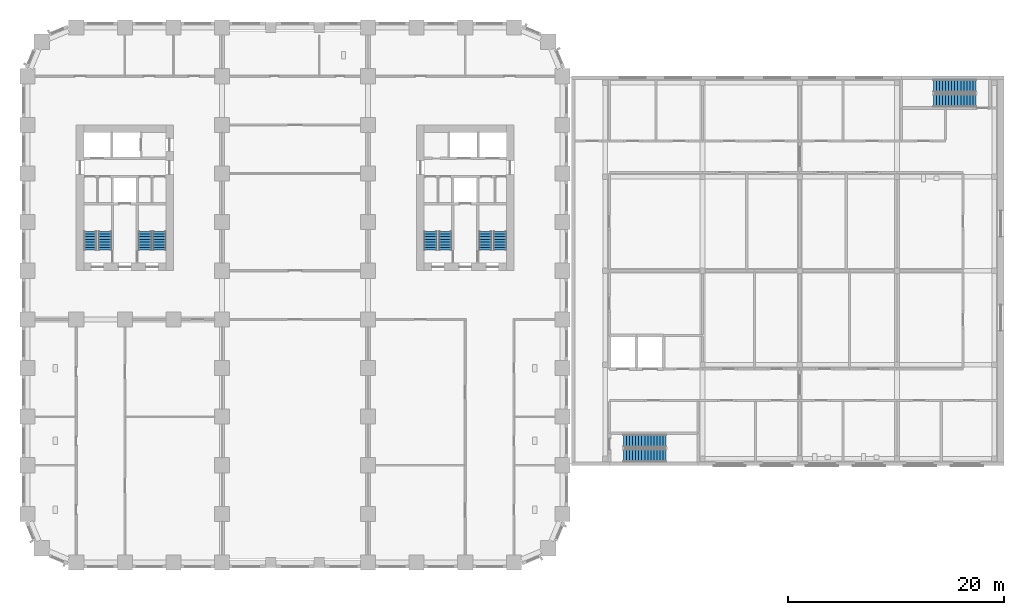
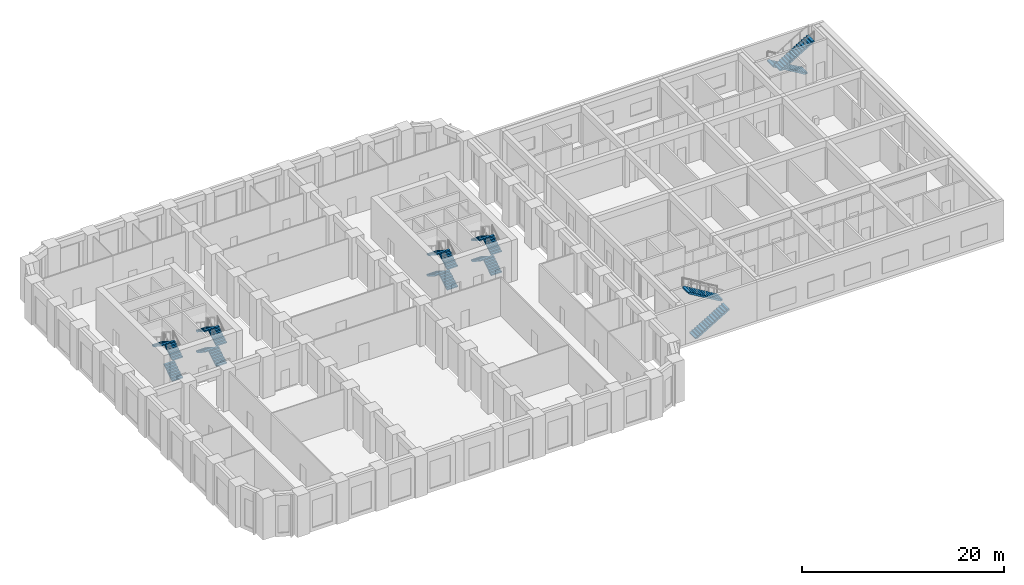
# One storey, part 12 of 19: 19 stair flights, 6 elements without a shape of their own.
"""IFC4 building model written with IfcOpenShell, lengths in metres."""

from ifc_helpers import new_model, si_unit, direction, frame, origin, place, context, subcontext, project, spatial, polyline, outline, extrude, material, type_object, element, aggregate, save


model = new_model("IFC4")

# Units and contexts
model_context = context("Model", 3, precision=1e-05, world=origin(), true_north=direction((0.0, 1.0)))
body_context = subcontext(model_context, "Body", "Model", "MODEL_VIEW")
ifc_project = project(units=[si_unit("LENGTHUNIT", "METRE"), si_unit("AREAUNIT", "SQUARE_METRE"), si_unit("VOLUMEUNIT", "CUBIC_METRE"), si_unit("PLANEANGLEUNIT", "RADIAN"), si_unit("MASSUNIT", "GRAM", prefix="KILO")], contexts=[model_context])

# Site, building, storey
site_placement = place(None, origin())
site = spatial("IfcSite", under=ifc_project, at=site_placement, CompositionType="ELEMENT")
building_placement = place(site_placement, origin())
building = spatial("IfcBuilding", under=site, at=building_placement, Name="Girih Gate Residences", CompositionType="ELEMENT")
storey_placement = place(building_placement, frame((0.0, 0.0, 21.0)))
storey = spatial("IfcBuildingStorey", under=building, at=storey_placement, Name="L04", CompositionType="ELEMENT", Elevation=21.0)

# Stair, stair flights
ifc_material = material(Name="Concrete C40/50", Category="concrete")
stair_type_1 = type_object("IfcStairType", Name="HC Stair", PredefinedType="HALF_TURN_STAIR", material=ifc_material)
stair_1_placement = place(storey_placement, origin())
stair_1 = element("IfcStair", 1, at=stair_1_placement, inside=storey, type_object=stair_type_1, Name="L04 stair A", PredefinedType="HALF_TURN_STAIR")
stair_flight_type_1 = type_object("IfcStairFlightType", Name="HC Stair flight", PredefinedType="STRAIGHT", material=ifc_material)
stair_flight_1_placement = place(storey_placement, frame((55.14990234375, 9.89990234375, 0.0), z_axis=(0.0, 0.0, 1.0), x_axis=(1.0, 0.0, 0.0)))
stair_flight_1 = element("IfcStairFlight", 2, at=stair_flight_1_placement, type_object=stair_flight_type_1, Name="HC-STA flight 1", NumberOfRisers=15, NumberOfTreads=14, PredefinedType="STRAIGHT", RiserHeight=0.166666667, TreadLength=0.28, context=body_context, shape_type="SweptSolid", body=[
    extrude(outline(polyline([(0.0, 0.0), (0.0, 0.166748046875), (0.280029296875, 0.166748046875), (0.280029296875, 0.333251953125), (0.56005859375, 0.333251953125), (0.56005859375, 0.5), (0.840087890625, 0.5), (0.840087890625, 0.666748046875), (1.1201171875, 0.666748046875), (1.1201171875, 0.833251953125), (1.39990234375, 0.833251953125), (1.39990234375, 1.0), (1.679931640625, 1.0), (1.679931640625, 1.166748046875), (1.9599609375, 1.166748046875), (1.9599609375, 1.333251953125), (2.239990234375, 1.333251953125), (2.239990234375, 1.5), (2.52001953125, 1.5), (2.52001953125, 1.666748046875), (2.800048828125, 1.666748046875), (2.800048828125, 1.833251953125), (3.080078125, 1.833251953125), (3.080078125, 2.0), (3.360107421875, 2.0), (3.360107421875, 2.166748046875), (3.639892578125, 2.166748046875), (3.639892578125, 2.333251953125), (3.919921875, 2.333251953125), (3.919921875, 2.5), (3.919921875, 2.158935546875), (0.29296875, 0.0), (0.0, 0.0)])), frame((0.0, 0.60009765625, 0.0), z_axis=(0.0, -1.0, 0.0), x_axis=(1.0, 0.0, 0.0)), (0.0, 0.0, 1.0), 1.199951171875),
])
stair_flight_2_placement = place(storey_placement, frame((59.070068359375, 11.25, 2.5), z_axis=(0.0, 0.0, 1.0), x_axis=(-1.0, 0.0, 0.0)))
stair_flight_2 = element("IfcStairFlight", 3, at=stair_flight_2_placement, type_object=stair_flight_type_1, Name="HC-STA flight 2", NumberOfRisers=15, NumberOfTreads=14, PredefinedType="STRAIGHT", RiserHeight=0.166666667, TreadLength=0.28, context=body_context, shape_type="SweptSolid", body=[
    extrude(outline(polyline([(0.0, 0.0), (0.0, 0.166748046875), (0.280029296875, 0.166748046875), (0.280029296875, 0.333251953125), (0.56005859375, 0.333251953125), (0.56005859375, 0.5), (0.840087890625, 0.5), (0.840087890625, 0.666748046875), (1.1201171875, 0.666748046875), (1.1201171875, 0.833251953125), (1.39990234375, 0.833251953125), (1.39990234375, 1.0), (1.679931640625, 1.0), (1.679931640625, 1.166748046875), (1.9599609375, 1.166748046875), (1.9599609375, 1.333251953125), (2.239990234375, 1.333251953125), (2.239990234375, 1.5), (2.52001953125, 1.5), (2.52001953125, 1.666748046875), (2.800048828125, 1.666748046875), (2.800048828125, 1.833251953125), (3.080078125, 1.833251953125), (3.080078125, 2.0), (3.360107421875, 2.0), (3.360107421875, 2.166748046875), (3.639892578125, 2.166748046875), (3.639892578125, 2.333251953125), (3.919921875, 2.333251953125), (3.919921875, 2.5), (3.919921875, 2.158935546875), (0.29296875, 0.0), (0.0, 0.0)])), frame((0.0, 0.60009765625, 0.0), z_axis=(0.0, -1.0, 0.0), x_axis=(1.0, 0.0, 0.0)), (0.0, 0.0, 1.0), 1.199951171875),
])
aggregate(stair_1, [stair_flight_1, stair_flight_2])

stair_2_placement = place(storey_placement, origin())
stair_2 = element("IfcStair", 4, at=stair_2_placement, inside=storey, type_object=stair_type_1, Name="L04 stair B", PredefinedType="HALF_TURN_STAIR")
stair_flight_3_placement = place(storey_placement, frame((87.75, 44.10009765625, 0.0), z_axis=(0.0, 0.0, 1.0), x_axis=(-1.0, 0.0, 0.0)))
stair_flight_3 = element("IfcStairFlight", 5, at=stair_flight_3_placement, type_object=stair_flight_type_1, Name="HC-STB flight 1", NumberOfRisers=15, NumberOfTreads=14, PredefinedType="STRAIGHT", RiserHeight=0.166666667, TreadLength=0.28, context=body_context, shape_type="SweptSolid", body=[
    extrude(outline(polyline([(0.0, 0.0), (0.0, 0.166748046875), (0.280029296875, 0.166748046875), (0.280029296875, 0.333251953125), (0.56005859375, 0.333251953125), (0.56005859375, 0.5), (0.840087890625, 0.5), (0.840087890625, 0.666748046875), (1.1201171875, 0.666748046875), (1.1201171875, 0.833251953125), (1.39990234375, 0.833251953125), (1.39990234375, 1.0), (1.679931640625, 1.0), (1.679931640625, 1.166748046875), (1.9599609375, 1.166748046875), (1.9599609375, 1.333251953125), (2.239990234375, 1.333251953125), (2.239990234375, 1.5), (2.52001953125, 1.5), (2.52001953125, 1.666748046875), (2.800048828125, 1.666748046875), (2.800048828125, 1.833251953125), (3.080078125, 1.833251953125), (3.080078125, 2.0), (3.360107421875, 2.0), (3.360107421875, 2.166748046875), (3.639892578125, 2.166748046875), (3.639892578125, 2.333251953125), (3.919921875, 2.333251953125), (3.919921875, 2.5), (3.919921875, 2.158935546875), (0.29296875, 0.0), (0.0, 0.0)])), frame((0.0, 0.60009765625, 0.0), z_axis=(0.0, -1.0, 0.0), x_axis=(1.0, 0.0, 0.0)), (0.0, 0.0, 1.0), 1.199951171875),
])
stair_flight_4_placement = place(storey_placement, frame((83.830078125, 42.75, 2.5), z_axis=(0.0, 0.0, 1.0), x_axis=(1.0, 0.0, 0.0)))
stair_flight_4 = element("IfcStairFlight", 6, at=stair_flight_4_placement, type_object=stair_flight_type_1, Name="HC-STB flight 2", NumberOfRisers=15, NumberOfTreads=14, PredefinedType="STRAIGHT", RiserHeight=0.166666667, TreadLength=0.28, context=body_context, shape_type="SweptSolid", body=[
    extrude(outline(polyline([(0.0, 0.0), (0.0, 0.166748046875), (0.280029296875, 0.166748046875), (0.280029296875, 0.333251953125), (0.56005859375, 0.333251953125), (0.56005859375, 0.5), (0.840087890625, 0.5), (0.840087890625, 0.666748046875), (1.1201171875, 0.666748046875), (1.1201171875, 0.833251953125), (1.39990234375, 0.833251953125), (1.39990234375, 1.0), (1.679931640625, 1.0), (1.679931640625, 1.166748046875), (1.9599609375, 1.166748046875), (1.9599609375, 1.333251953125), (2.239990234375, 1.333251953125), (2.239990234375, 1.5), (2.52001953125, 1.5), (2.52001953125, 1.666748046875), (2.800048828125, 1.666748046875), (2.800048828125, 1.833251953125), (3.080078125, 1.833251953125), (3.080078125, 2.0), (3.360107421875, 2.0), (3.360107421875, 2.166748046875), (3.639892578125, 2.166748046875), (3.639892578125, 2.333251953125), (3.919921875, 2.333251953125), (3.919921875, 2.5), (3.919921875, 2.158935546875), (0.29296875, 0.0), (0.0, 0.0)])), frame((0.0, 0.60009765625, 0.0), z_axis=(0.0, -1.0, 0.0), x_axis=(1.0, 0.0, 0.0)), (0.0, 0.0, 1.0), 1.199951171875),
])
aggregate(stair_2, [stair_flight_3, stair_flight_4])

stair_type_2 = type_object("IfcStairType", Name="Exit stair", PredefinedType="HALF_TURN_STAIR", material=ifc_material)
stair_3_placement = place(storey_placement, origin())
stair_3 = element("IfcStair", 7, at=stair_3_placement, inside=storey, type_object=stair_type_2, Name="L04 Exit Stair ST-W1", PredefinedType="HALF_TURN_STAIR")
stair_flight_type_2 = type_object("IfcStairFlightType", Name="Stair flight 1200", PredefinedType="STRAIGHT", material=ifc_material)
stair_flight_5_placement = place(storey_placement, frame((7.14990234375, 28.89990234375, 0.0), z_axis=(0.0, 0.0, 1.0), x_axis=(0.0, 1.0, 0.0)))
stair_flight_5 = element("IfcStairFlight", 8, at=stair_flight_5_placement, type_object=stair_flight_type_2, Name="ST-W1 flight 1", NumberOfRisers=8, NumberOfTreads=7, PredefinedType="STRAIGHT", RiserHeight=0.15625, TreadLength=0.25, context=body_context, shape_type="SweptSolid", body=[
    extrude(outline(polyline([(0.0, 0.0), (0.0, 0.01123046875), (0.0, 0.022216796875), (0.0, 0.033447265625), (0.0, 0.044677734375), (0.0, 0.055908203125), (0.0, 0.06689453125), (0.0, 0.078125), (0.0, 0.08935546875), (0.0, 0.100341796875), (0.0, 0.111572265625), (0.0, 0.122802734375), (0.0, 0.134033203125), (0.0, 0.14501953125), (0.0, 0.15625), (0.25, 0.15625), (0.25, 0.3125), (0.5, 0.3125), (0.5, 0.46875), (0.75, 0.46875), (0.75, 0.625), (1.0, 0.625), (1.0, 0.78125), (1.25, 0.78125), (1.25, 0.9375), (1.5, 0.9375), (1.5, 1.09375), (1.75, 1.09375), (1.75, 1.10498046875), (1.75, 1.115966796875), (1.75, 1.127197265625), (1.75, 1.138427734375), (1.75, 1.149658203125), (1.75, 1.16064453125), (1.75, 1.171875), (1.75, 1.18310546875), (1.75, 1.194091796875), (1.75, 1.205322265625), (1.75, 1.216552734375), (1.75, 1.227783203125), (1.75, 1.23876953125), (1.75, 1.25), (1.75, 1.228759765625), (1.75, 1.20751953125), (1.75, 1.186279296875), (1.75, 1.164794921875), (1.75, 1.1435546875), (1.75, 1.122314453125), (1.75, 1.10107421875), (1.75, 1.079833984375), (1.75, 1.05859375), (1.75, 1.037109375), (1.75, 1.015869140625), (1.75, 0.99462890625), (1.75, 0.973388671875), (1.75, 0.9521484375), (0.2265625, 0.0), (0.0, 0.0)])), frame((0.0, 0.60009765625, 0.0), z_axis=(0.0, -1.0, 0.0), x_axis=(1.0, 0.0, 0.0)), (0.0, 0.0, 1.0), 1.199951171875),
])
stair_flight_6_placement = place(storey_placement, frame((7.14990234375, 28.89990234375, 2.5), z_axis=(0.0, 0.0, 1.0), x_axis=(0.0, 1.0, 0.0)))
stair_flight_6 = element("IfcStairFlight", 9, at=stair_flight_6_placement, type_object=stair_flight_type_2, Name="ST-W1 flight 3", NumberOfRisers=8, NumberOfTreads=7, PredefinedType="STRAIGHT", RiserHeight=0.15625, TreadLength=0.25, context=body_context, shape_type="SweptSolid", body=[
    extrude(outline(polyline([(0.0, 0.0), (0.0, 0.01123046875), (0.0, 0.022216796875), (0.0, 0.033447265625), (0.0, 0.044677734375), (0.0, 0.055908203125), (0.0, 0.06689453125), (0.0, 0.078125), (0.0, 0.08935546875), (0.0, 0.100341796875), (0.0, 0.111572265625), (0.0, 0.122802734375), (0.0, 0.134033203125), (0.0, 0.14501953125), (0.0, 0.15625), (0.25, 0.15625), (0.25, 0.3125), (0.5, 0.3125), (0.5, 0.46875), (0.75, 0.46875), (0.75, 0.625), (1.0, 0.625), (1.0, 0.78125), (1.25, 0.78125), (1.25, 0.9375), (1.5, 0.9375), (1.5, 1.09375), (1.75, 1.09375), (1.75, 1.10498046875), (1.75, 1.115966796875), (1.75, 1.127197265625), (1.75, 1.138427734375), (1.75, 1.149658203125), (1.75, 1.16064453125), (1.75, 1.171875), (1.75, 1.18310546875), (1.75, 1.194091796875), (1.75, 1.205322265625), (1.75, 1.216552734375), (1.75, 1.227783203125), (1.75, 1.23876953125), (1.75, 1.25), (1.75, 1.228759765625), (1.75, 1.20751953125), (1.75, 1.186279296875), (1.75, 1.164794921875), (1.75, 1.1435546875), (1.75, 1.122314453125), (1.75, 1.10107421875), (1.75, 1.079833984375), (1.75, 1.05859375), (1.75, 1.037109375), (1.75, 1.015869140625), (1.75, 0.99462890625), (1.75, 0.973388671875), (1.75, 0.9521484375), (0.2265625, 0.0), (0.0, 0.0)])), frame((0.0, 0.60009765625, 0.0), z_axis=(0.0, -1.0, 0.0), x_axis=(1.0, 0.0, 0.0)), (0.0, 0.0, 1.0), 1.199951171875),
])
stair_flight_7_placement = place(storey_placement, frame((5.800048828125, 30.64990234375, 3.75), z_axis=(0.0, 0.0, 1.0), x_axis=(0.0, -1.0, 0.0)))
stair_flight_7 = element("IfcStairFlight", 10, at=stair_flight_7_placement, type_object=stair_flight_type_2, Name="ST-W1 flight 4", NumberOfRisers=8, NumberOfTreads=7, PredefinedType="STRAIGHT", RiserHeight=0.15625, TreadLength=0.25, context=body_context, shape_type="SweptSolid", body=[
    extrude(outline(polyline([(0.0, 0.0), (0.0, 0.01123046875), (0.0, 0.022216796875), (0.0, 0.033447265625), (0.0, 0.044677734375), (0.0, 0.055908203125), (0.0, 0.06689453125), (0.0, 0.078125), (0.0, 0.08935546875), (0.0, 0.100341796875), (0.0, 0.111572265625), (0.0, 0.122802734375), (0.0, 0.134033203125), (0.0, 0.14501953125), (0.0, 0.15625), (0.25, 0.15625), (0.25, 0.3125), (0.5, 0.3125), (0.5, 0.46875), (0.75, 0.46875), (0.75, 0.625), (1.0, 0.625), (1.0, 0.78125), (1.25, 0.78125), (1.25, 0.9375), (1.5, 0.9375), (1.5, 1.09375), (1.75, 1.09375), (1.75, 1.10498046875), (1.75, 1.115966796875), (1.75, 1.127197265625), (1.75, 1.138427734375), (1.75, 1.149658203125), (1.75, 1.16064453125), (1.75, 1.171875), (1.75, 1.18310546875), (1.75, 1.194091796875), (1.75, 1.205322265625), (1.75, 1.216552734375), (1.75, 1.227783203125), (1.75, 1.23876953125), (1.75, 1.25), (1.75, 1.228759765625), (1.75, 1.20751953125), (1.75, 1.186279296875), (1.75, 1.164794921875), (1.75, 1.1435546875), (1.75, 1.122314453125), (1.75, 1.10107421875), (1.75, 1.079833984375), (1.75, 1.05859375), (1.75, 1.037109375), (1.75, 1.015869140625), (1.75, 0.99462890625), (1.75, 0.973388671875), (1.75, 0.9521484375), (0.2265625, 0.0), (0.0, 0.0)])), frame((0.0, 0.60009765625, 0.0), z_axis=(0.0, -1.0, 0.0), x_axis=(1.0, 0.0, 0.0)), (0.0, 0.0, 1.0), 1.199951171875),
])
aggregate(stair_3, [stair_flight_5, stair_flight_6, stair_flight_7])

stair_4_placement = place(storey_placement, origin())
stair_4 = element("IfcStair", 11, at=stair_4_placement, inside=storey, type_object=stair_type_2, Name="L04 Exit Stair ST-W2", PredefinedType="HALF_TURN_STAIR")
stair_flight_8_placement = place(storey_placement, frame((12.199951171875, 28.89990234375, 0.0), z_axis=(0.0, 0.0, 1.0), x_axis=(0.0, 1.0, 0.0)))
stair_flight_8 = element("IfcStairFlight", 12, at=stair_flight_8_placement, type_object=stair_flight_type_2, Name="ST-W2 flight 1", NumberOfRisers=8, NumberOfTreads=7, PredefinedType="STRAIGHT", RiserHeight=0.15625, TreadLength=0.25, context=body_context, shape_type="SweptSolid", body=[
    extrude(outline(polyline([(0.0, 0.0), (0.0, 0.01123046875), (0.0, 0.022216796875), (0.0, 0.033447265625), (0.0, 0.044677734375), (0.0, 0.055908203125), (0.0, 0.06689453125), (0.0, 0.078125), (0.0, 0.08935546875), (0.0, 0.100341796875), (0.0, 0.111572265625), (0.0, 0.122802734375), (0.0, 0.134033203125), (0.0, 0.14501953125), (0.0, 0.15625), (0.25, 0.15625), (0.25, 0.3125), (0.5, 0.3125), (0.5, 0.46875), (0.75, 0.46875), (0.75, 0.625), (1.0, 0.625), (1.0, 0.78125), (1.25, 0.78125), (1.25, 0.9375), (1.5, 0.9375), (1.5, 1.09375), (1.75, 1.09375), (1.75, 1.10498046875), (1.75, 1.115966796875), (1.75, 1.127197265625), (1.75, 1.138427734375), (1.75, 1.149658203125), (1.75, 1.16064453125), (1.75, 1.171875), (1.75, 1.18310546875), (1.75, 1.194091796875), (1.75, 1.205322265625), (1.75, 1.216552734375), (1.75, 1.227783203125), (1.75, 1.23876953125), (1.75, 1.25), (1.75, 1.228759765625), (1.75, 1.20751953125), (1.75, 1.186279296875), (1.75, 1.164794921875), (1.75, 1.1435546875), (1.75, 1.122314453125), (1.75, 1.10107421875), (1.75, 1.079833984375), (1.75, 1.05859375), (1.75, 1.037109375), (1.75, 1.015869140625), (1.75, 0.99462890625), (1.75, 0.973388671875), (1.75, 0.9521484375), (0.2265625, 0.0), (0.0, 0.0)])), frame((0.0, 0.60009765625, 0.0), z_axis=(0.0, -1.0, 0.0), x_axis=(1.0, 0.0, 0.0)), (0.0, 0.0, 1.0), 1.199951171875),
])
stair_flight_9_placement = place(storey_placement, frame((10.85009765625, 30.64990234375, 1.25), z_axis=(0.0, 0.0, 1.0), x_axis=(0.0, -1.0, 0.0)))
stair_flight_9 = element("IfcStairFlight", 13, at=stair_flight_9_placement, type_object=stair_flight_type_2, Name="ST-W2 flight 2", NumberOfRisers=8, NumberOfTreads=7, PredefinedType="STRAIGHT", RiserHeight=0.15625, TreadLength=0.25, context=body_context, shape_type="SweptSolid", body=[
    extrude(outline(polyline([(0.0, 0.0), (0.0, 0.01123046875), (0.0, 0.022216796875), (0.0, 0.033447265625), (0.0, 0.044677734375), (0.0, 0.055908203125), (0.0, 0.06689453125), (0.0, 0.078125), (0.0, 0.08935546875), (0.0, 0.100341796875), (0.0, 0.111572265625), (0.0, 0.122802734375), (0.0, 0.134033203125), (0.0, 0.14501953125), (0.0, 0.15625), (0.25, 0.15625), (0.25, 0.3125), (0.5, 0.3125), (0.5, 0.46875), (0.75, 0.46875), (0.75, 0.625), (1.0, 0.625), (1.0, 0.78125), (1.25, 0.78125), (1.25, 0.9375), (1.5, 0.9375), (1.5, 1.09375), (1.75, 1.09375), (1.75, 1.10498046875), (1.75, 1.115966796875), (1.75, 1.127197265625), (1.75, 1.138427734375), (1.75, 1.149658203125), (1.75, 1.16064453125), (1.75, 1.171875), (1.75, 1.18310546875), (1.75, 1.194091796875), (1.75, 1.205322265625), (1.75, 1.216552734375), (1.75, 1.227783203125), (1.75, 1.23876953125), (1.75, 1.25), (1.75, 1.228759765625), (1.75, 1.20751953125), (1.75, 1.186279296875), (1.75, 1.164794921875), (1.75, 1.1435546875), (1.75, 1.122314453125), (1.75, 1.10107421875), (1.75, 1.079833984375), (1.75, 1.05859375), (1.75, 1.037109375), (1.75, 1.015869140625), (1.75, 0.99462890625), (1.75, 0.973388671875), (1.75, 0.9521484375), (0.2265625, 0.0), (0.0, 0.0)])), frame((0.0, 0.60009765625, 0.0), z_axis=(0.0, -1.0, 0.0), x_axis=(1.0, 0.0, 0.0)), (0.0, 0.0, 1.0), 1.199951171875),
])
stair_flight_10_placement = place(storey_placement, frame((12.199951171875, 28.89990234375, 2.5), z_axis=(0.0, 0.0, 1.0), x_axis=(0.0, 1.0, 0.0)))
stair_flight_10 = element("IfcStairFlight", 14, at=stair_flight_10_placement, type_object=stair_flight_type_2, Name="ST-W2 flight 3", NumberOfRisers=8, NumberOfTreads=7, PredefinedType="STRAIGHT", RiserHeight=0.15625, TreadLength=0.25, context=body_context, shape_type="SweptSolid", body=[
    extrude(outline(polyline([(0.0, 0.0), (0.0, 0.01123046875), (0.0, 0.022216796875), (0.0, 0.033447265625), (0.0, 0.044677734375), (0.0, 0.055908203125), (0.0, 0.06689453125), (0.0, 0.078125), (0.0, 0.08935546875), (0.0, 0.100341796875), (0.0, 0.111572265625), (0.0, 0.122802734375), (0.0, 0.134033203125), (0.0, 0.14501953125), (0.0, 0.15625), (0.25, 0.15625), (0.25, 0.3125), (0.5, 0.3125), (0.5, 0.46875), (0.75, 0.46875), (0.75, 0.625), (1.0, 0.625), (1.0, 0.78125), (1.25, 0.78125), (1.25, 0.9375), (1.5, 0.9375), (1.5, 1.09375), (1.75, 1.09375), (1.75, 1.10498046875), (1.75, 1.115966796875), (1.75, 1.127197265625), (1.75, 1.138427734375), (1.75, 1.149658203125), (1.75, 1.16064453125), (1.75, 1.171875), (1.75, 1.18310546875), (1.75, 1.194091796875), (1.75, 1.205322265625), (1.75, 1.216552734375), (1.75, 1.227783203125), (1.75, 1.23876953125), (1.75, 1.25), (1.75, 1.228759765625), (1.75, 1.20751953125), (1.75, 1.186279296875), (1.75, 1.164794921875), (1.75, 1.1435546875), (1.75, 1.122314453125), (1.75, 1.10107421875), (1.75, 1.079833984375), (1.75, 1.05859375), (1.75, 1.037109375), (1.75, 1.015869140625), (1.75, 0.99462890625), (1.75, 0.973388671875), (1.75, 0.9521484375), (0.2265625, 0.0), (0.0, 0.0)])), frame((0.0, 0.60009765625, 0.0), z_axis=(0.0, -1.0, 0.0), x_axis=(1.0, 0.0, 0.0)), (0.0, 0.0, 1.0), 1.199951171875),
])
stair_flight_11_placement = place(storey_placement, frame((10.85009765625, 30.64990234375, 3.75), z_axis=(0.0, 0.0, 1.0), x_axis=(0.0, -1.0, 0.0)))
stair_flight_11 = element("IfcStairFlight", 15, at=stair_flight_11_placement, type_object=stair_flight_type_2, Name="ST-W2 flight 4", NumberOfRisers=8, NumberOfTreads=7, PredefinedType="STRAIGHT", RiserHeight=0.15625, TreadLength=0.25, context=body_context, shape_type="SweptSolid", body=[
    extrude(outline(polyline([(0.0, 0.0), (0.0, 0.01123046875), (0.0, 0.022216796875), (0.0, 0.033447265625), (0.0, 0.044677734375), (0.0, 0.055908203125), (0.0, 0.06689453125), (0.0, 0.078125), (0.0, 0.08935546875), (0.0, 0.100341796875), (0.0, 0.111572265625), (0.0, 0.122802734375), (0.0, 0.134033203125), (0.0, 0.14501953125), (0.0, 0.15625), (0.25, 0.15625), (0.25, 0.3125), (0.5, 0.3125), (0.5, 0.46875), (0.75, 0.46875), (0.75, 0.625), (1.0, 0.625), (1.0, 0.78125), (1.25, 0.78125), (1.25, 0.9375), (1.5, 0.9375), (1.5, 1.09375), (1.75, 1.09375), (1.75, 1.10498046875), (1.75, 1.115966796875), (1.75, 1.127197265625), (1.75, 1.138427734375), (1.75, 1.149658203125), (1.75, 1.16064453125), (1.75, 1.171875), (1.75, 1.18310546875), (1.75, 1.194091796875), (1.75, 1.205322265625), (1.75, 1.216552734375), (1.75, 1.227783203125), (1.75, 1.23876953125), (1.75, 1.25), (1.75, 1.228759765625), (1.75, 1.20751953125), (1.75, 1.186279296875), (1.75, 1.164794921875), (1.75, 1.1435546875), (1.75, 1.122314453125), (1.75, 1.10107421875), (1.75, 1.079833984375), (1.75, 1.05859375), (1.75, 1.037109375), (1.75, 1.015869140625), (1.75, 0.99462890625), (1.75, 0.973388671875), (1.75, 0.9521484375), (0.2265625, 0.0), (0.0, 0.0)])), frame((0.0, 0.60009765625, 0.0), z_axis=(0.0, -1.0, 0.0), x_axis=(1.0, 0.0, 0.0)), (0.0, 0.0, 1.0), 1.199951171875),
])
aggregate(stair_4, [stair_flight_8, stair_flight_9, stair_flight_10, stair_flight_11])

stair_5_placement = place(storey_placement, origin())
stair_5 = element("IfcStair", 16, at=stair_5_placement, inside=storey, type_object=stair_type_2, Name="L04 Exit Stair ST-E1", PredefinedType="HALF_TURN_STAIR")
stair_flight_12_placement = place(storey_placement, frame((43.699951171875, 28.89990234375, 0.0), z_axis=(0.0, 0.0, 1.0), x_axis=(0.0, 1.0, 0.0)))
stair_flight_12 = element("IfcStairFlight", 17, at=stair_flight_12_placement, type_object=stair_flight_type_2, Name="ST-E1 flight 1", NumberOfRisers=8, NumberOfTreads=7, PredefinedType="STRAIGHT", RiserHeight=0.15625, TreadLength=0.25, context=body_context, shape_type="SweptSolid", body=[
    extrude(outline(polyline([(0.0, 0.0), (0.0, 0.01123046875), (0.0, 0.022216796875), (0.0, 0.033447265625), (0.0, 0.044677734375), (0.0, 0.055908203125), (0.0, 0.06689453125), (0.0, 0.078125), (0.0, 0.08935546875), (0.0, 0.100341796875), (0.0, 0.111572265625), (0.0, 0.122802734375), (0.0, 0.134033203125), (0.0, 0.14501953125), (0.0, 0.15625), (0.25, 0.15625), (0.25, 0.3125), (0.5, 0.3125), (0.5, 0.46875), (0.75, 0.46875), (0.75, 0.625), (1.0, 0.625), (1.0, 0.78125), (1.25, 0.78125), (1.25, 0.9375), (1.5, 0.9375), (1.5, 1.09375), (1.75, 1.09375), (1.75, 1.10498046875), (1.75, 1.115966796875), (1.75, 1.127197265625), (1.75, 1.138427734375), (1.75, 1.149658203125), (1.75, 1.16064453125), (1.75, 1.171875), (1.75, 1.18310546875), (1.75, 1.194091796875), (1.75, 1.205322265625), (1.75, 1.216552734375), (1.75, 1.227783203125), (1.75, 1.23876953125), (1.75, 1.25), (1.75, 1.228759765625), (1.75, 1.20751953125), (1.75, 1.186279296875), (1.75, 1.164794921875), (1.75, 1.1435546875), (1.75, 1.122314453125), (1.75, 1.10107421875), (1.75, 1.079833984375), (1.75, 1.05859375), (1.75, 1.037109375), (1.75, 1.015869140625), (1.75, 0.99462890625), (1.75, 0.973388671875), (1.75, 0.9521484375), (0.2265625, 0.0), (0.0, 0.0)])), frame((0.0, 0.60009765625, 0.0), z_axis=(0.0, -1.0, 0.0), x_axis=(1.0, 0.0, 0.0)), (0.0, 0.0, 1.0), 1.199951171875),
])
stair_flight_13_placement = place(storey_placement, frame((42.35009765625, 30.64990234375, 1.25), z_axis=(0.0, 0.0, 1.0), x_axis=(0.0, -1.0, 0.0)))
stair_flight_13 = element("IfcStairFlight", 18, at=stair_flight_13_placement, type_object=stair_flight_type_2, Name="ST-E1 flight 2", NumberOfRisers=8, NumberOfTreads=7, PredefinedType="STRAIGHT", RiserHeight=0.15625, TreadLength=0.25, context=body_context, shape_type="SweptSolid", body=[
    extrude(outline(polyline([(0.0, 0.0), (0.0, 0.01123046875), (0.0, 0.022216796875), (0.0, 0.033447265625), (0.0, 0.044677734375), (0.0, 0.055908203125), (0.0, 0.06689453125), (0.0, 0.078125), (0.0, 0.08935546875), (0.0, 0.100341796875), (0.0, 0.111572265625), (0.0, 0.122802734375), (0.0, 0.134033203125), (0.0, 0.14501953125), (0.0, 0.15625), (0.25, 0.15625), (0.25, 0.3125), (0.5, 0.3125), (0.5, 0.46875), (0.75, 0.46875), (0.75, 0.625), (1.0, 0.625), (1.0, 0.78125), (1.25, 0.78125), (1.25, 0.9375), (1.5, 0.9375), (1.5, 1.09375), (1.75, 1.09375), (1.75, 1.10498046875), (1.75, 1.115966796875), (1.75, 1.127197265625), (1.75, 1.138427734375), (1.75, 1.149658203125), (1.75, 1.16064453125), (1.75, 1.171875), (1.75, 1.18310546875), (1.75, 1.194091796875), (1.75, 1.205322265625), (1.75, 1.216552734375), (1.75, 1.227783203125), (1.75, 1.23876953125), (1.75, 1.25), (1.75, 1.228759765625), (1.75, 1.20751953125), (1.75, 1.186279296875), (1.75, 1.164794921875), (1.75, 1.1435546875), (1.75, 1.122314453125), (1.75, 1.10107421875), (1.75, 1.079833984375), (1.75, 1.05859375), (1.75, 1.037109375), (1.75, 1.015869140625), (1.75, 0.99462890625), (1.75, 0.973388671875), (1.75, 0.9521484375), (0.2265625, 0.0), (0.0, 0.0)])), frame((0.0, 0.60009765625, 0.0), z_axis=(0.0, -1.0, 0.0), x_axis=(1.0, 0.0, 0.0)), (0.0, 0.0, 1.0), 1.199951171875),
])
stair_flight_14_placement = place(storey_placement, frame((43.699951171875, 28.89990234375, 2.5), z_axis=(0.0, 0.0, 1.0), x_axis=(0.0, 1.0, 0.0)))
stair_flight_14 = element("IfcStairFlight", 19, at=stair_flight_14_placement, type_object=stair_flight_type_2, Name="ST-E1 flight 3", NumberOfRisers=8, NumberOfTreads=7, PredefinedType="STRAIGHT", RiserHeight=0.15625, TreadLength=0.25, context=body_context, shape_type="SweptSolid", body=[
    extrude(outline(polyline([(0.0, 0.0), (0.0, 0.01123046875), (0.0, 0.022216796875), (0.0, 0.033447265625), (0.0, 0.044677734375), (0.0, 0.055908203125), (0.0, 0.06689453125), (0.0, 0.078125), (0.0, 0.08935546875), (0.0, 0.100341796875), (0.0, 0.111572265625), (0.0, 0.122802734375), (0.0, 0.134033203125), (0.0, 0.14501953125), (0.0, 0.15625), (0.25, 0.15625), (0.25, 0.3125), (0.5, 0.3125), (0.5, 0.46875), (0.75, 0.46875), (0.75, 0.625), (1.0, 0.625), (1.0, 0.78125), (1.25, 0.78125), (1.25, 0.9375), (1.5, 0.9375), (1.5, 1.09375), (1.75, 1.09375), (1.75, 1.10498046875), (1.75, 1.115966796875), (1.75, 1.127197265625), (1.75, 1.138427734375), (1.75, 1.149658203125), (1.75, 1.16064453125), (1.75, 1.171875), (1.75, 1.18310546875), (1.75, 1.194091796875), (1.75, 1.205322265625), (1.75, 1.216552734375), (1.75, 1.227783203125), (1.75, 1.23876953125), (1.75, 1.25), (1.75, 1.228759765625), (1.75, 1.20751953125), (1.75, 1.186279296875), (1.75, 1.164794921875), (1.75, 1.1435546875), (1.75, 1.122314453125), (1.75, 1.10107421875), (1.75, 1.079833984375), (1.75, 1.05859375), (1.75, 1.037109375), (1.75, 1.015869140625), (1.75, 0.99462890625), (1.75, 0.973388671875), (1.75, 0.9521484375), (0.2265625, 0.0), (0.0, 0.0)])), frame((0.0, 0.60009765625, 0.0), z_axis=(0.0, -1.0, 0.0), x_axis=(1.0, 0.0, 0.0)), (0.0, 0.0, 1.0), 1.199951171875),
])
stair_flight_15_placement = place(storey_placement, frame((42.35009765625, 30.64990234375, 3.75), z_axis=(0.0, 0.0, 1.0), x_axis=(0.0, -1.0, 0.0)))
stair_flight_15 = element("IfcStairFlight", 20, at=stair_flight_15_placement, type_object=stair_flight_type_2, Name="ST-E1 flight 4", NumberOfRisers=8, NumberOfTreads=7, PredefinedType="STRAIGHT", RiserHeight=0.15625, TreadLength=0.25, context=body_context, shape_type="SweptSolid", body=[
    extrude(outline(polyline([(0.0, 0.0), (0.0, 0.01123046875), (0.0, 0.022216796875), (0.0, 0.033447265625), (0.0, 0.044677734375), (0.0, 0.055908203125), (0.0, 0.06689453125), (0.0, 0.078125), (0.0, 0.08935546875), (0.0, 0.100341796875), (0.0, 0.111572265625), (0.0, 0.122802734375), (0.0, 0.134033203125), (0.0, 0.14501953125), (0.0, 0.15625), (0.25, 0.15625), (0.25, 0.3125), (0.5, 0.3125), (0.5, 0.46875), (0.75, 0.46875), (0.75, 0.625), (1.0, 0.625), (1.0, 0.78125), (1.25, 0.78125), (1.25, 0.9375), (1.5, 0.9375), (1.5, 1.09375), (1.75, 1.09375), (1.75, 1.10498046875), (1.75, 1.115966796875), (1.75, 1.127197265625), (1.75, 1.138427734375), (1.75, 1.149658203125), (1.75, 1.16064453125), (1.75, 1.171875), (1.75, 1.18310546875), (1.75, 1.194091796875), (1.75, 1.205322265625), (1.75, 1.216552734375), (1.75, 1.227783203125), (1.75, 1.23876953125), (1.75, 1.25), (1.75, 1.228759765625), (1.75, 1.20751953125), (1.75, 1.186279296875), (1.75, 1.164794921875), (1.75, 1.1435546875), (1.75, 1.122314453125), (1.75, 1.10107421875), (1.75, 1.079833984375), (1.75, 1.05859375), (1.75, 1.037109375), (1.75, 1.015869140625), (1.75, 0.99462890625), (1.75, 0.973388671875), (1.75, 0.9521484375), (0.2265625, 0.0), (0.0, 0.0)])), frame((0.0, 0.60009765625, 0.0), z_axis=(0.0, -1.0, 0.0), x_axis=(1.0, 0.0, 0.0)), (0.0, 0.0, 1.0), 1.199951171875),
])
aggregate(stair_5, [stair_flight_12, stair_flight_13, stair_flight_14, stair_flight_15])

stair_6_placement = place(storey_placement, origin())
stair_6 = element("IfcStair", 21, at=stair_6_placement, inside=storey, type_object=stair_type_2, Name="L04 Exit Stair ST-E2", PredefinedType="HALF_TURN_STAIR")
stair_flight_16_placement = place(storey_placement, frame((38.64990234375, 28.89990234375, 0.0), z_axis=(0.0, 0.0, 1.0), x_axis=(0.0, 1.0, 0.0)))
stair_flight_16 = element("IfcStairFlight", 22, at=stair_flight_16_placement, type_object=stair_flight_type_2, Name="ST-E2 flight 1", NumberOfRisers=8, NumberOfTreads=7, PredefinedType="STRAIGHT", RiserHeight=0.15625, TreadLength=0.25, context=body_context, shape_type="SweptSolid", body=[
    extrude(outline(polyline([(0.0, 0.0), (0.0, 0.01123046875), (0.0, 0.022216796875), (0.0, 0.033447265625), (0.0, 0.044677734375), (0.0, 0.055908203125), (0.0, 0.06689453125), (0.0, 0.078125), (0.0, 0.08935546875), (0.0, 0.100341796875), (0.0, 0.111572265625), (0.0, 0.122802734375), (0.0, 0.134033203125), (0.0, 0.14501953125), (0.0, 0.15625), (0.25, 0.15625), (0.25, 0.3125), (0.5, 0.3125), (0.5, 0.46875), (0.75, 0.46875), (0.75, 0.625), (1.0, 0.625), (1.0, 0.78125), (1.25, 0.78125), (1.25, 0.9375), (1.5, 0.9375), (1.5, 1.09375), (1.75, 1.09375), (1.75, 1.10498046875), (1.75, 1.115966796875), (1.75, 1.127197265625), (1.75, 1.138427734375), (1.75, 1.149658203125), (1.75, 1.16064453125), (1.75, 1.171875), (1.75, 1.18310546875), (1.75, 1.194091796875), (1.75, 1.205322265625), (1.75, 1.216552734375), (1.75, 1.227783203125), (1.75, 1.23876953125), (1.75, 1.25), (1.75, 1.228759765625), (1.75, 1.20751953125), (1.75, 1.186279296875), (1.75, 1.164794921875), (1.75, 1.1435546875), (1.75, 1.122314453125), (1.75, 1.10107421875), (1.75, 1.079833984375), (1.75, 1.05859375), (1.75, 1.037109375), (1.75, 1.015869140625), (1.75, 0.99462890625), (1.75, 0.973388671875), (1.75, 0.9521484375), (0.2265625, 0.0), (0.0, 0.0)])), frame((0.0, 0.60009765625, 0.0), z_axis=(0.0, -1.0, 0.0), x_axis=(1.0, 0.0, 0.0)), (0.0, 0.0, 1.0), 1.199951171875),
])
stair_flight_17_placement = place(storey_placement, frame((37.300048828125, 30.64990234375, 1.25), z_axis=(0.0, 0.0, 1.0), x_axis=(0.0, -1.0, 0.0)))
stair_flight_17 = element("IfcStairFlight", 23, at=stair_flight_17_placement, type_object=stair_flight_type_2, Name="ST-E2 flight 2", NumberOfRisers=8, NumberOfTreads=7, PredefinedType="STRAIGHT", RiserHeight=0.15625, TreadLength=0.25, context=body_context, shape_type="SweptSolid", body=[
    extrude(outline(polyline([(0.0, 0.0), (0.0, 0.01123046875), (0.0, 0.022216796875), (0.0, 0.033447265625), (0.0, 0.044677734375), (0.0, 0.055908203125), (0.0, 0.06689453125), (0.0, 0.078125), (0.0, 0.08935546875), (0.0, 0.100341796875), (0.0, 0.111572265625), (0.0, 0.122802734375), (0.0, 0.134033203125), (0.0, 0.14501953125), (0.0, 0.15625), (0.25, 0.15625), (0.25, 0.3125), (0.5, 0.3125), (0.5, 0.46875), (0.75, 0.46875), (0.75, 0.625), (1.0, 0.625), (1.0, 0.78125), (1.25, 0.78125), (1.25, 0.9375), (1.5, 0.9375), (1.5, 1.09375), (1.75, 1.09375), (1.75, 1.10498046875), (1.75, 1.115966796875), (1.75, 1.127197265625), (1.75, 1.138427734375), (1.75, 1.149658203125), (1.75, 1.16064453125), (1.75, 1.171875), (1.75, 1.18310546875), (1.75, 1.194091796875), (1.75, 1.205322265625), (1.75, 1.216552734375), (1.75, 1.227783203125), (1.75, 1.23876953125), (1.75, 1.25), (1.75, 1.228759765625), (1.75, 1.20751953125), (1.75, 1.186279296875), (1.75, 1.164794921875), (1.75, 1.1435546875), (1.75, 1.122314453125), (1.75, 1.10107421875), (1.75, 1.079833984375), (1.75, 1.05859375), (1.75, 1.037109375), (1.75, 1.015869140625), (1.75, 0.99462890625), (1.75, 0.973388671875), (1.75, 0.9521484375), (0.2265625, 0.0), (0.0, 0.0)])), frame((0.0, 0.60009765625, 0.0), z_axis=(0.0, -1.0, 0.0), x_axis=(1.0, 0.0, 0.0)), (0.0, 0.0, 1.0), 1.199951171875),
])
stair_flight_18_placement = place(storey_placement, frame((38.64990234375, 28.89990234375, 2.5), z_axis=(0.0, 0.0, 1.0), x_axis=(0.0, 1.0, 0.0)))
stair_flight_18 = element("IfcStairFlight", 24, at=stair_flight_18_placement, type_object=stair_flight_type_2, Name="ST-E2 flight 3", NumberOfRisers=8, NumberOfTreads=7, PredefinedType="STRAIGHT", RiserHeight=0.15625, TreadLength=0.25, context=body_context, shape_type="SweptSolid", body=[
    extrude(outline(polyline([(0.0, 0.0), (0.0, 0.01123046875), (0.0, 0.022216796875), (0.0, 0.033447265625), (0.0, 0.044677734375), (0.0, 0.055908203125), (0.0, 0.06689453125), (0.0, 0.078125), (0.0, 0.08935546875), (0.0, 0.100341796875), (0.0, 0.111572265625), (0.0, 0.122802734375), (0.0, 0.134033203125), (0.0, 0.14501953125), (0.0, 0.15625), (0.25, 0.15625), (0.25, 0.3125), (0.5, 0.3125), (0.5, 0.46875), (0.75, 0.46875), (0.75, 0.625), (1.0, 0.625), (1.0, 0.78125), (1.25, 0.78125), (1.25, 0.9375), (1.5, 0.9375), (1.5, 1.09375), (1.75, 1.09375), (1.75, 1.10498046875), (1.75, 1.115966796875), (1.75, 1.127197265625), (1.75, 1.138427734375), (1.75, 1.149658203125), (1.75, 1.16064453125), (1.75, 1.171875), (1.75, 1.18310546875), (1.75, 1.194091796875), (1.75, 1.205322265625), (1.75, 1.216552734375), (1.75, 1.227783203125), (1.75, 1.23876953125), (1.75, 1.25), (1.75, 1.228759765625), (1.75, 1.20751953125), (1.75, 1.186279296875), (1.75, 1.164794921875), (1.75, 1.1435546875), (1.75, 1.122314453125), (1.75, 1.10107421875), (1.75, 1.079833984375), (1.75, 1.05859375), (1.75, 1.037109375), (1.75, 1.015869140625), (1.75, 0.99462890625), (1.75, 0.973388671875), (1.75, 0.9521484375), (0.2265625, 0.0), (0.0, 0.0)])), frame((0.0, 0.60009765625, 0.0), z_axis=(0.0, -1.0, 0.0), x_axis=(1.0, 0.0, 0.0)), (0.0, 0.0, 1.0), 1.199951171875),
])
stair_flight_19_placement = place(storey_placement, frame((37.300048828125, 30.64990234375, 3.75), z_axis=(0.0, 0.0, 1.0), x_axis=(0.0, -1.0, 0.0)))
stair_flight_19 = element("IfcStairFlight", 25, at=stair_flight_19_placement, type_object=stair_flight_type_2, Name="ST-E2 flight 4", NumberOfRisers=8, NumberOfTreads=7, PredefinedType="STRAIGHT", RiserHeight=0.15625, TreadLength=0.25, context=body_context, shape_type="SweptSolid", body=[
    extrude(outline(polyline([(0.0, 0.0), (0.0, 0.01123046875), (0.0, 0.022216796875), (0.0, 0.033447265625), (0.0, 0.044677734375), (0.0, 0.055908203125), (0.0, 0.06689453125), (0.0, 0.078125), (0.0, 0.08935546875), (0.0, 0.100341796875), (0.0, 0.111572265625), (0.0, 0.122802734375), (0.0, 0.134033203125), (0.0, 0.14501953125), (0.0, 0.15625), (0.25, 0.15625), (0.25, 0.3125), (0.5, 0.3125), (0.5, 0.46875), (0.75, 0.46875), (0.75, 0.625), (1.0, 0.625), (1.0, 0.78125), (1.25, 0.78125), (1.25, 0.9375), (1.5, 0.9375), (1.5, 1.09375), (1.75, 1.09375), (1.75, 1.10498046875), (1.75, 1.115966796875), (1.75, 1.127197265625), (1.75, 1.138427734375), (1.75, 1.149658203125), (1.75, 1.16064453125), (1.75, 1.171875), (1.75, 1.18310546875), (1.75, 1.194091796875), (1.75, 1.205322265625), (1.75, 1.216552734375), (1.75, 1.227783203125), (1.75, 1.23876953125), (1.75, 1.25), (1.75, 1.228759765625), (1.75, 1.20751953125), (1.75, 1.186279296875), (1.75, 1.164794921875), (1.75, 1.1435546875), (1.75, 1.122314453125), (1.75, 1.10107421875), (1.75, 1.079833984375), (1.75, 1.05859375), (1.75, 1.037109375), (1.75, 1.015869140625), (1.75, 0.99462890625), (1.75, 0.973388671875), (1.75, 0.9521484375), (0.2265625, 0.0), (0.0, 0.0)])), frame((0.0, 0.60009765625, 0.0), z_axis=(0.0, -1.0, 0.0), x_axis=(1.0, 0.0, 0.0)), (0.0, 0.0, 1.0), 1.199951171875),
])
aggregate(stair_6, [stair_flight_16, stair_flight_17, stair_flight_18, stair_flight_19])

save(model, "model.ifc")
